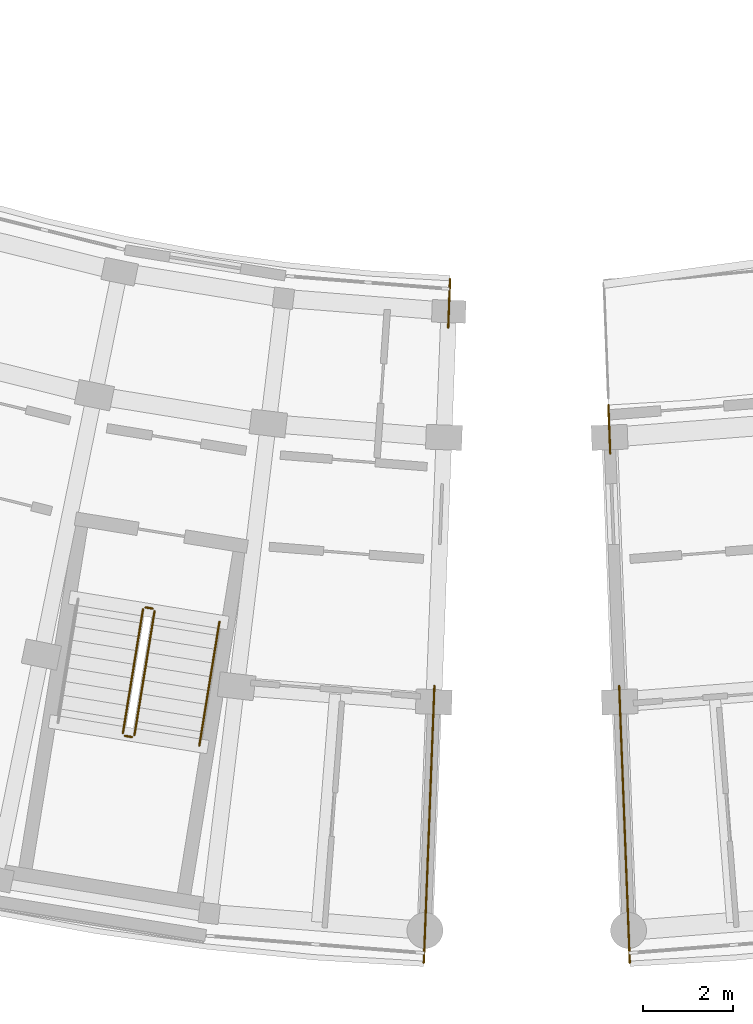
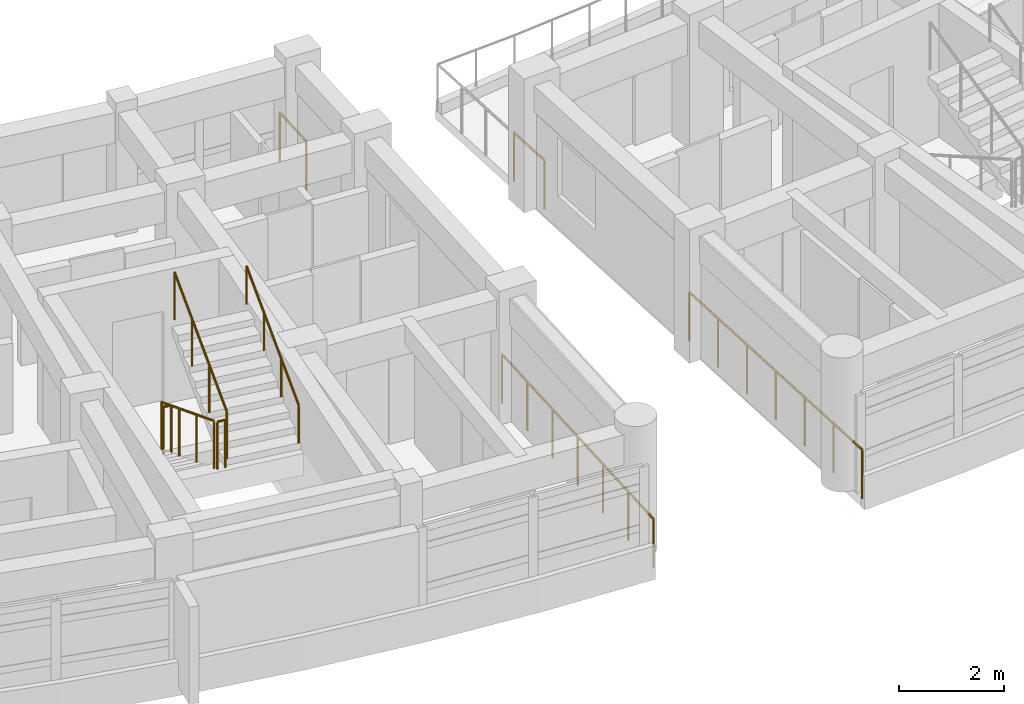
# One storey, part 47 of 54: 9 railings.
"""IFC4 building model written with IfcOpenShell, lengths in metres."""

from ifc_helpers import new_model, si_unit, direction, frame, origin, origin_2d, place, context, subcontext, project, spatial, circle, extrude, material, type_object, element, save


model = new_model("IFC4")

# Units and contexts
model_context = context("Model", 3, precision=1e-05, world=origin(), true_north=direction((0.0, 1.0)))
body_context = subcontext(model_context, "Body", "Model", "MODEL_VIEW")
ifc_project = project(units=[si_unit("LENGTHUNIT", "METRE"), si_unit("AREAUNIT", "SQUARE_METRE"), si_unit("VOLUMEUNIT", "CUBIC_METRE"), si_unit("PLANEANGLEUNIT", "RADIAN"), si_unit("MASSUNIT", "GRAM", prefix="KILO")], contexts=[model_context])

# Site, building, storey
site_placement = place(None, origin())
site = spatial("IfcSite", under=ifc_project, at=site_placement, CompositionType="ELEMENT")
building_placement = place(site_placement, origin())
building = spatial("IfcBuilding", under=site, at=building_placement, Name="Zimvara Arc Housing Community", CompositionType="ELEMENT")
storey_placement = place(building_placement, frame((0.0, 0.0, 20.5)))
storey = spatial("IfcBuildingStorey", under=building, at=storey_placement, Name="L06", CompositionType="ELEMENT", Elevation=20.5)

# Railings
ifc_material_1 = material(Name="Anodised Aluminium AW-6063", Category="aluminium")
railing_type_1 = type_object("IfcRailingType", Name="RLG-BAL-1120", PredefinedType="BALUSTRADE", material=ifc_material_1)
railing_1_placement = place(storey_placement, frame((117.455810546875, 58.15771484375, 0.155029296875)))
element("IfcRailing", 1, at=railing_1_placement, inside=storey, type_object=railing_type_1, Name="L06 ST-C2 stair guard 1", PredefinedType="BALUSTRADE", context=body_context, shape_type="SweptSolid", body=[
    extrude(circle(Radius=0.02392578125, at=origin_2d()), frame((0.0, 0.0, 1.09619140625), z_axis=(-0.14330919097, -0.882866015369, 0.447224859204), x_axis=(0.987080428045, -0.160225555297, 0.0)), (0.0, 0.0, 1.0), 3.119384765625),
    extrude(circle(Radius=0.02099609375, at=origin_2d()), origin(), (0.0, 0.0, 1.0), 1.072021484375),
    extrude(circle(Radius=0.02099609375, at=origin_2d()), frame((-0.14892578125, -0.91796875, 0.465087890625)), (0.0, 0.0, 1.0), 1.072021484375),
    extrude(circle(Radius=0.02099609375, at=origin_2d()), frame((-0.298095703125, -1.8359375, 0.929931640625)), (0.0, 0.0, 1.0), 1.072021484375),
    extrude(circle(Radius=0.02099609375, at=origin_2d()), frame((-0.447021484375, -2.75390625, 1.39501953125)), (0.0, 0.0, 1.0), 1.072021484375),
])
railing_2_placement = place(storey_placement, frame((117.050048828125, 55.346435546875, 1.550048828125)))
element("IfcRailing", 2, at=railing_2_placement, inside=storey, type_object=railing_type_1, Name="L06 ST-C2 stair guard 2", PredefinedType="BALUSTRADE", context=body_context, shape_type="SweptSolid", body=[
    extrude(circle(Radius=0.02392578125, at=origin_2d()), frame((0.0, 0.0, 1.09619140625), z_axis=(0.987085924886, -0.160191687964, 0.0), x_axis=(0.160191687964, 0.987085924886, 0.0)), (0.0, 0.0, 1.0), 0.159912109375),
    extrude(circle(Radius=0.02099609375, at=origin_2d()), origin(), (0.0, 0.0, 1.0), 1.072021484375),
    extrude(circle(Radius=0.02099609375, at=origin_2d()), frame((0.157958984375, -0.025634765625, 0.0)), (0.0, 0.0, 1.0), 1.072021484375),
])
railing_3_placement = place(storey_placement, frame((117.265380859375, 55.3623046875, 1.705078125)))
element("IfcRailing", 3, at=railing_3_placement, inside=storey, type_object=railing_type_1, Name="L06 ST-C2 stair guard 3", PredefinedType="BALUSTRADE", context=body_context, shape_type="SweptSolid", body=[
    extrude(circle(Radius=0.02392578125, at=origin_2d()), frame((0.0, 0.0, 1.09619140625), z_axis=(0.14330919097, 0.882866015369, 0.447224859204), x_axis=(-0.987080428045, 0.160225555297, 0.0)), (0.0, 0.0, 1.0), 3.119384765625),
    extrude(circle(Radius=0.02099609375, at=origin_2d()), origin(), (0.0, 0.0, 1.0), 1.072021484375),
    extrude(circle(Radius=0.02099609375, at=origin_2d()), frame((0.14892578125, 0.91796875, 0.465087890625)), (0.0, 0.0, 1.0), 1.072021484375),
    extrude(circle(Radius=0.02099609375, at=origin_2d()), frame((0.298095703125, 1.8359375, 0.929931640625)), (0.0, 0.0, 1.0), 1.072021484375),
    extrude(circle(Radius=0.02099609375, at=origin_2d()), frame((0.447021484375, 2.75390625, 1.39501953125)), (0.0, 0.0, 1.0), 1.072021484375),
])
railing_4_placement = place(storey_placement, frame((117.51318359375, 58.19921875, 0.0)))
element("IfcRailing", 4, at=railing_4_placement, inside=storey, type_object=railing_type_1, Name="L06 ST-C2 stair guard 4", PredefinedType="BALUSTRADE", context=body_context, shape_type="SweptSolid", body=[
    extrude(circle(Radius=0.02392578125, at=origin_2d()), frame((0.0, 0.0, 1.09619140625), z_axis=(0.987085924886, -0.160191687964, 0.0), x_axis=(0.160191687964, 0.987085924886, 0.0)), (0.0, 0.0, 1.0), 0.159912109375),
    extrude(circle(Radius=0.02099609375, at=origin_2d()), origin(), (0.0, 0.0, 1.0), 1.072021484375),
    extrude(circle(Radius=0.02099609375, at=origin_2d()), frame((0.157958984375, -0.025634765625, 0.0)), (0.0, 0.0, 1.0), 1.072021484375),
])
ifc_material_2 = material(Name="Anodised Aluminium AW-6063", Category="aluminium")
railing_type_2 = type_object("IfcRailingType", Name="RLG-BAL-1150", PredefinedType="BALUSTRADE", material=ifc_material_2)
railing_5_placement = place(storey_placement, frame((124.275634765625, 65.49267578125, 0.0)))
element("IfcRailing", 5, at=railing_5_placement, inside=storey, type_object=railing_type_2, Name="rlg:blkC:L06:gable_in:gN", PredefinedType="BALUSTRADE", context=body_context, shape_type="SweptSolid", body=[
    extrude(circle(Radius=0.02392578125, at=origin_2d()), frame((0.0, 0.0, 1.1259765625), z_axis=(-0.038433122101, -0.999261174631, 0.0), x_axis=(0.999261174631, -0.038433122101, 0.0)), (0.0, 0.0, 1.0), 1.079833984375),
    extrude(circle(Radius=0.02099609375, at=origin_2d()), origin(), (0.0, 0.0, 1.0), 1.101806640625),
    extrude(circle(Radius=0.02099609375, at=origin_2d()), frame((-0.04150390625, -1.0791015625, 0.0)), (0.0, 0.0, 1.0), 1.101806640625),
])
railing_6_placement = place(storey_placement, frame((123.928466796875, 56.45947265625, 0.0)))
element("IfcRailing", 6, at=railing_6_placement, inside=storey, type_object=railing_type_2, Name="rlg:blkC:L06:gable_out:gN", PredefinedType="BALUSTRADE", context=body_context, shape_type="SweptSolid", body=[
    extrude(circle(Radius=0.02392578125, at=origin_2d()), frame((0.0, 0.0, 1.1259765625), z_axis=(-0.038364627964, -0.99926380667, 0.0), x_axis=(0.99926380667, -0.038364627964, 0.0)), (0.0, 0.0, 1.0), 6.16015625),
    extrude(circle(Radius=0.02099609375, at=origin_2d()), origin(), (0.0, 0.0, 1.0), 1.101806640625),
    extrude(circle(Radius=0.02099609375, at=origin_2d()), frame((-0.039306640625, -1.02587890625, 0.0)), (0.0, 0.0, 1.0), 1.101806640625),
    extrude(circle(Radius=0.02099609375, at=origin_2d()), frame((-0.078857421875, -2.0517578125, 0.0)), (0.0, 0.0, 1.0), 1.101806640625),
    extrude(circle(Radius=0.02099609375, at=origin_2d()), frame((-0.1181640625, -3.07763671875, 0.0)), (0.0, 0.0, 1.0), 1.101806640625),
    extrude(circle(Radius=0.02099609375, at=origin_2d()), frame((-0.157470703125, -4.103759765625, 0.0)), (0.0, 0.0, 1.0), 1.101806640625),
    extrude(circle(Radius=0.02099609375, at=origin_2d()), frame((-0.197021484375, -5.129638671875, 0.0)), (0.0, 0.0, 1.0), 1.101806640625),
    extrude(circle(Radius=0.02099609375, at=origin_2d()), frame((-0.236328125, -6.155517578125, 0.0)), (0.0, 0.0, 1.0), 1.101806640625),
])
railing_7_placement = place(storey_placement, frame((127.7919921875, 62.69482421875, 0.0)))
element("IfcRailing", 7, at=railing_7_placement, inside=storey, type_object=railing_type_2, Name="rlg:blkD:L06:gable_in:g0", PredefinedType="BALUSTRADE", context=body_context, shape_type="SweptSolid", body=[
    extrude(circle(Radius=0.02392578125, at=origin_2d()), frame((0.0, 0.0, 1.1259765625), z_axis=(0.03819874628, -0.999270161559, 0.0), x_axis=(0.999270161559, 0.03819874628, 0.0)), (0.0, 0.0, 1.0), 1.080078125),
    extrude(circle(Radius=0.02099609375, at=origin_2d()), origin(), (0.0, 0.0, 1.0), 1.101806640625),
    extrude(circle(Radius=0.02099609375, at=origin_2d()), frame((0.041259765625, -1.079345703125, 0.0)), (0.0, 0.0, 1.0), 1.101806640625),
])
railing_8_placement = place(storey_placement, frame((128.031494140625, 56.45947265625, 0.0)))
element("IfcRailing", 8, at=railing_8_placement, inside=storey, type_object=railing_type_2, Name="rlg:blkD:L06:gable_out:g0", PredefinedType="BALUSTRADE", context=body_context, shape_type="SweptSolid", body=[
    extrude(circle(Radius=0.02392578125, at=origin_2d()), frame((0.0, 0.0, 1.1259765625), z_axis=(0.038364627964, -0.99926380667, 0.0), x_axis=(0.99926380667, 0.038364627964, 0.0)), (0.0, 0.0, 1.0), 6.16015625),
    extrude(circle(Radius=0.02099609375, at=origin_2d()), origin(), (0.0, 0.0, 1.0), 1.101806640625),
    extrude(circle(Radius=0.02099609375, at=origin_2d()), frame((0.039306640625, -1.02587890625, 0.0)), (0.0, 0.0, 1.0), 1.101806640625),
    extrude(circle(Radius=0.02099609375, at=origin_2d()), frame((0.078857421875, -2.0517578125, 0.0)), (0.0, 0.0, 1.0), 1.101806640625),
    extrude(circle(Radius=0.02099609375, at=origin_2d()), frame((0.1181640625, -3.07763671875, 0.0)), (0.0, 0.0, 1.0), 1.101806640625),
    extrude(circle(Radius=0.02099609375, at=origin_2d()), frame((0.157470703125, -4.103759765625, 0.0)), (0.0, 0.0, 1.0), 1.101806640625),
    extrude(circle(Radius=0.02099609375, at=origin_2d()), frame((0.197021484375, -5.129638671875, 0.0)), (0.0, 0.0, 1.0), 1.101806640625),
    extrude(circle(Radius=0.02099609375, at=origin_2d()), frame((0.236328125, -6.155517578125, 0.0)), (0.0, 0.0, 1.0), 1.101806640625),
])
ifc_material_3 = material(Name="Anodised Aluminium AW-6063", Category="aluminium")
railing_type_3 = type_object("IfcRailingType", Name="RLG-HND-900", PredefinedType="HANDRAIL", material=ifc_material_3)
railing_9_placement = place(storey_placement, frame((118.70654296875, 55.128173828125, 1.705078125)))
element("IfcRailing", 9, at=railing_9_placement, inside=storey, type_object=railing_type_3, Name="L06 ST-C2 stair handrail 2", PredefinedType="HANDRAIL", context=body_context, shape_type="SweptSolid", body=[
    extrude(circle(Radius=0.02392578125, at=origin_2d()), frame((0.0, 0.0, 0.8759765625), z_axis=(0.143299288836, 0.882883275458, 0.447193957625), x_axis=(-0.987082674257, 0.160211716742, 0.0)), (0.0, 0.0, 1.0), 3.119384765625),
    extrude(circle(Radius=0.02099609375, at=origin_2d()), origin(), (0.0, 0.0, 1.0), 0.851806640625),
    extrude(circle(Radius=0.02099609375, at=origin_2d()), frame((0.14892578125, 0.91796875, 0.465087890625)), (0.0, 0.0, 1.0), 0.851806640625),
    extrude(circle(Radius=0.02099609375, at=origin_2d()), frame((0.298095703125, 1.836181640625, 0.929931640625)), (0.0, 0.0, 1.0), 0.851806640625),
    extrude(circle(Radius=0.02099609375, at=origin_2d()), frame((0.447021484375, 2.754150390625, 1.39501953125)), (0.0, 0.0, 1.0), 0.851806640625),
])

save(model, "model.ifc")
